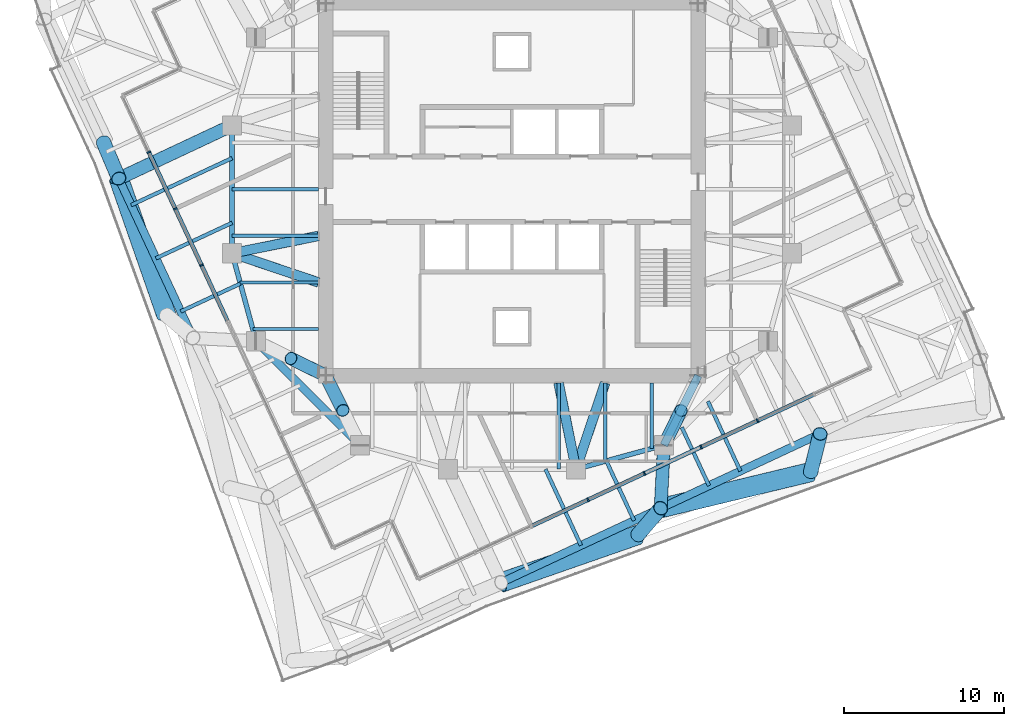
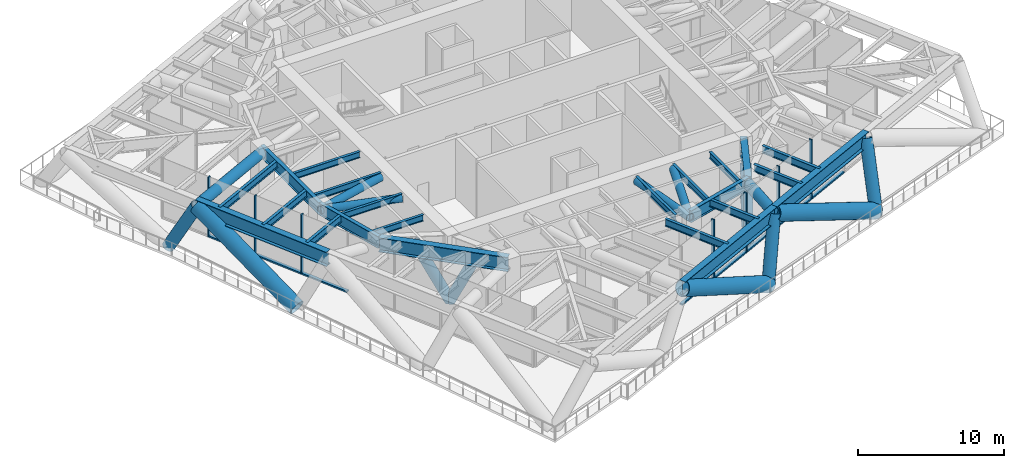
# One storey, part 3 of 16: 32 members, 21 beams, 2 elements without a shape of their own.
"""IFC4 building model written with IfcOpenShell, lengths in metres."""

from ifc_helpers import new_model, si_unit, direction, frame, origin, origin_2d, place, context, subcontext, project, spatial, rectangle, hollow_circle, i_section, extrude, material, material_profile, profile_set, type_object, element, aggregate, save


model = new_model("IFC4")

# Units and contexts
model_context = context("Model", 3, precision=1e-05, world=origin(), true_north=direction((0.0, 1.0)))
body_context = subcontext(model_context, "Body", "Model", "MODEL_VIEW")
ifc_project = project(units=[si_unit("LENGTHUNIT", "METRE"), si_unit("AREAUNIT", "SQUARE_METRE"), si_unit("VOLUMEUNIT", "CUBIC_METRE"), si_unit("PLANEANGLEUNIT", "RADIAN"), si_unit("MASSUNIT", "GRAM", prefix="KILO")], contexts=[model_context])

# Site, building, storey
site_placement = place(None, origin())
site = spatial("IfcSite", under=ifc_project, at=site_placement, CompositionType="ELEMENT")
building_placement = place(site_placement, origin())
building = spatial("IfcBuilding", under=site, at=building_placement, Name="Torsade Residences", CompositionType="ELEMENT")
storey_placement = place(building_placement, frame((0.0, 0.0, 171.0)))
storey = spatial("IfcBuildingStorey", under=building, at=storey_placement, Name="L47", CompositionType="ELEMENT", Elevation=171.0)

# Beams
ifc_material_1 = material(Name="Steel grade 300", Category="steel")
ifc_material_profile_1 = material_profile(ifc_material_1, i_section(OverallWidth=0.208984375, OverallDepth=0.528076171875, WebThickness=0.009521484375, FlangeThickness=0.01318359375, FilletRadius=0.013916015625, at=origin_2d()), Name="530UB82.0")
ifc_profile_set_1 = profile_set([ifc_material_profile_1], Name="Steel grade 300")
beam_type_1 = type_object("IfcBeamType", Name="INNER FLOOR BEAM 530UB82.0", PredefinedType="JOIST", material=ifc_profile_set_1)
beam_1_placement = place(storey_placement, frame((48.737548828125, 17.89990234375, 4.5859375), z_axis=(0.0, -1.0, 0.0), x_axis=(1.0, 0.0, 0.0)))
element("IfcBeam", 1, at=beam_1_placement, inside=storey, type_object=beam_type_1, Name="Inner floor beam IS01 L48", PredefinedType="JOIST", context=body_context, shape_type="SweptSolid", body=[
    extrude(i_section(OverallWidth=0.208984375, OverallDepth=0.528076171875, WebThickness=0.009521484375, FlangeThickness=0.01318359375, FilletRadius=0.013916015625, at=origin_2d()), origin(), (0.0, 0.0, 1.0), 4.10791015625),
])
beam_2_placement = place(storey_placement, frame((45.824951171875, 17.89990234375, 4.5859375), z_axis=(0.0, -1.0, 0.0), x_axis=(1.0, 0.0, 0.0)))
element("IfcBeam", 2, at=beam_2_placement, inside=storey, type_object=beam_type_1, Name="Inner floor beam IS02 L48", PredefinedType="JOIST", context=body_context, shape_type="SweptSolid", body=[
    extrude(i_section(OverallWidth=0.208984375, OverallDepth=0.528076171875, WebThickness=0.009521484375, FlangeThickness=0.01318359375, FilletRadius=0.013916015625, at=origin_2d()), origin(), (0.0, 0.0, 1.0), 4.902099609375),
])
for number, where, z_axis, x_axis, name in (
    (3, (42.91259765625, 17.89990234375, 4.5859375), (0.0, -1.0, 0.0), (1.0, 0.0, 0.0), "Inner floor beam IS03 L48"),
    (4, (27.89990234375, 30.0, 4.5859375), (-1.0, 0.0, 0.0), (0.0, -1.0, 0.0), "Inner floor beam IW04 L48"),
    (5, (27.89990234375, 27.08740234375, 4.5859375), (-1.0, 0.0, 0.0), (0.0, -1.0, 0.0), "Inner floor beam IW05 L48"),
):
    element("IfcBeam", number, at=place(storey_placement, frame(where, z_axis=z_axis, x_axis=x_axis)), inside=storey, type_object=beam_type_1, Name=name, PredefinedType="JOIST", context=body_context, shape_type="SweptSolid", body=[
        extrude(i_section(OverallWidth=0.208984375, OverallDepth=0.528076171875, WebThickness=0.009521484375, FlangeThickness=0.01318359375, FilletRadius=0.013916015625, at=origin_2d()), origin(), (0.0, 0.0, 1.0), 5.39990234375),
    ])
beam_3_placement = place(storey_placement, frame((27.89990234375, 24.175048828125, 4.5859375), z_axis=(-1.0, 0.0, 0.0), x_axis=(0.0, -1.0, 0.0)))
element("IfcBeam", 6, at=beam_3_placement, inside=storey, type_object=beam_type_1, Name="Inner floor beam IW06 L48", PredefinedType="JOIST", context=body_context, shape_type="SweptSolid", body=[
    extrude(i_section(OverallWidth=0.208984375, OverallDepth=0.528076171875, WebThickness=0.009521484375, FlangeThickness=0.01318359375, FilletRadius=0.013916015625, at=origin_2d()), origin(), (0.0, 0.0, 1.0), 4.902099609375),
])
beam_4_placement = place(storey_placement, frame((27.89990234375, 21.262451171875, 4.5859375), z_axis=(-1.0, 0.0, 0.0), x_axis=(0.0, -1.0, 0.0)))
element("IfcBeam", 7, at=beam_4_placement, inside=storey, type_object=beam_type_1, Name="Inner floor beam IW07 L48", PredefinedType="JOIST", context=body_context, shape_type="SweptSolid", body=[
    extrude(i_section(OverallWidth=0.208984375, OverallDepth=0.528076171875, WebThickness=0.009521484375, FlangeThickness=0.01318359375, FilletRadius=0.013916015625, at=origin_2d()), origin(), (0.0, 0.0, 1.0), 4.10791015625),
])

# Members
ifc_material_2 = material(Name="Steel grade 350", Category="steel")
ifc_material_profile_2 = material_profile(ifc_material_2, i_section(OverallWidth=0.5, OverallDepth=1.199951171875, WebThickness=0.031982421875, FlangeThickness=0.050048828125, at=origin_2d()), Name="1200x500x50x32WPG")
ifc_profile_set_2 = profile_set([ifc_material_profile_2], Name="Steel grade 350")
member_type_1 = type_object("IfcMemberType", Name="OUTRIGGER CHORD", PredefinedType="CHORD", material=ifc_profile_set_2)
for number, where, z_axis, x_axis, name in (
    (8, (51.64990234375, 18.35009765625, 4.25), (-0.443062937737, -0.896490509266, 0.0), (0.896490509266, -0.443062937737, 0.0), "Outrigger IR15 top chord L47"),
    (9, (51.64990234375, 18.35009765625, -0.75), (-0.443062937737, -0.896490509266, 0.0), (0.896490509266, -0.443062937737, 0.0), "Outrigger IR15 bottom chord L47"),
):
    element("IfcMember", number, at=place(storey_placement, frame(where, z_axis=z_axis, x_axis=x_axis)), inside=storey, type_object=member_type_1, Name=name, PredefinedType="CHORD", context=body_context, shape_type="SweptSolid", body=[
        extrude(i_section(OverallWidth=0.5, OverallDepth=1.199951171875, WebThickness=0.031982421875, FlangeThickness=0.050048828125, at=origin_2d()), origin(), (0.0, 0.0, 1.0), 4.852294921875),
    ])
ifc_material_3 = material(Name="Steel grade 450", Category="steel")
ifc_material_profile_3 = material_profile(ifc_material_3, hollow_circle(Radius=0.406494140625, WallThickness=0.02490234375, at=origin_2d()), Name="813.0x25.0CHS")
ifc_profile_set_3 = profile_set([ifc_material_profile_3], Name="Steel grade 450")
member_type_2 = type_object("IfcMemberType", Name="OUTRIGGER DIAGONAL", PredefinedType="BRACE", material=ifc_profile_set_3)
for number, where, z_axis, x_axis, name in (
    (10, (28.35009765625, 18.35009765625, -0.75), (-0.391368316838, 0.193421786849, 0.899677082595), (-0.443062937737, -0.896490509266, 0.0), "Outrigger IR11 diagonal 1 L47"),
    (11, (28.35009765625, 18.35009765625, -0.75), (0.193421786849, -0.391368316838, 0.899677082595), (0.896490509266, 0.443062937737, 0.0), "Outrigger IR12 diagonal 1 L47"),
    (12, (49.5, 14.0, -0.75), (0.193421786849, 0.391368316838, 0.899677082595), (-0.896490509266, 0.443062937737, 0.0), "Outrigger IR15 diagonal 2 L47"),
):
    element("IfcMember", number, at=place(storey_placement, frame(where, z_axis=z_axis, x_axis=x_axis)), inside=storey, type_object=member_type_2, Name=name, PredefinedType="BRACE", context=body_context, shape_type="SweptSolid", body=[
        extrude(hollow_circle(Radius=0.406494140625, WallThickness=0.02490234375, at=origin_2d()), origin(), (0.0, 0.0, 1.0), 5.5576171875),
    ])

# Beams
ifc_material_4 = material(Name="Steel grade 300", Category="steel")
ifc_material_profile_4 = material_profile(ifc_material_4, i_section(OverallWidth=0.5, OverallDepth=1.199951171875, WebThickness=0.01611328125, FlangeThickness=0.0400390625, at=origin_2d()), Name="1200WB455")
ifc_profile_set_4 = profile_set([ifc_material_profile_4], Name="Steel grade 300")
beam_type_2 = type_object("IfcBeamType", Name="RING CORNER GIRDER 1200WB455", PredefinedType="BEAM", material=ifc_profile_set_4)
beam_5_placement = place(storey_placement, frame((24.0, 20.5, 4.25), z_axis=(0.707106781187, -0.707106781187, 0.0), x_axis=(0.707106781187, 0.707106781187, 0.0)))
element("IfcBeam", 13, at=beam_5_placement, inside=storey, type_object=beam_type_2, Name="Ring girder IR11 L48", PredefinedType="BEAM", context=body_context, shape_type="SweptSolid", body=[
    extrude(i_section(OverallWidth=0.5, OverallDepth=1.199951171875, WebThickness=0.01611328125, FlangeThickness=0.0400390625, at=origin_2d()), origin(), (0.0, 0.0, 1.0), 9.1923828125),
])
ifc_material_5 = material(Name="Steel grade 300", Category="steel")
ifc_material_profile_5 = material_profile(ifc_material_5, i_section(OverallWidth=0.300048828125, OverallDepth=1.0, WebThickness=0.01611328125, FlangeThickness=0.028076171875, at=origin_2d()), Name="1000WB215")
ifc_profile_set_5 = profile_set([ifc_material_profile_5], Name="Steel grade 300")
beam_type_3 = type_object("IfcBeamType", Name="RING GIRDER 1000WB215", PredefinedType="BEAM", material=ifc_profile_set_5)
beam_6_placement = place(storey_placement, frame((22.5, 34.0, 4.35009765625), z_axis=(0.0, -1.0, 0.0), x_axis=(1.0, 0.0, 0.0)))
element("IfcBeam", 14, at=beam_6_placement, inside=storey, type_object=beam_type_3, Name="Ring girder IR09 L48", PredefinedType="BEAM", context=body_context, shape_type="SweptSolid", body=[
    extrude(i_section(OverallWidth=0.300048828125, OverallDepth=1.0, WebThickness=0.01611328125, FlangeThickness=0.028076171875, at=origin_2d()), origin(), (0.0, 0.0, 1.0), 8.0),
])
for number, where, z_axis, x_axis, name in (
    (15, (22.5, 26.0, 4.35009765625), (0.263117405792, -0.964763821238, 0.0), (0.964763821238, 0.263117405792, 0.0), "Ring girder IR10 L48"),
    (16, (44.0, 12.5, 4.35009765625), (0.964763821238, 0.263117405792, 0.0), (-0.263117405792, 0.964763821238, 0.0), "Ring girder IR14 L48"),
):
    element("IfcBeam", number, at=place(storey_placement, frame(where, z_axis=z_axis, x_axis=x_axis)), inside=storey, type_object=beam_type_3, Name=name, PredefinedType="BEAM", context=body_context, shape_type="SweptSolid", body=[
        extrude(i_section(OverallWidth=0.300048828125, OverallDepth=1.0, WebThickness=0.01611328125, FlangeThickness=0.028076171875, at=origin_2d()), origin(), (0.0, 0.0, 1.0), 5.700927734375),
    ])
ifc_material_6 = material(Name="Steel grade 300", Category="steel")
ifc_material_profile_6 = material_profile(ifc_material_6, i_section(OverallWidth=0.22900390625, OverallDepth=0.612060546875, WebThickness=0.011962890625, FlangeThickness=0.01953125, FilletRadius=0.013916015625, at=origin_2d()), Name="610UB125")
ifc_profile_set_6 = profile_set([ifc_material_profile_6], Name="Steel grade 300")
beam_type_4 = type_object("IfcBeamType", Name="SECONDARY BEAM 610UB125", PredefinedType="JOIST", material=ifc_profile_set_6)
beam_7_placement = place(storey_placement, frame((44.31298828125, 7.73681640625, 4.5439453125), z_axis=(-0.422631142882, 0.90630178035, 0.0), x_axis=(-0.90630178035, -0.422631142882, 0.0)))
element("IfcBeam", 17, at=beam_7_placement, inside=storey, type_object=beam_type_4, Name="Floor beam FS05 L48", PredefinedType="JOIST", context=body_context, shape_type="SweptSolid", body=[
    extrude(i_section(OverallWidth=0.22900390625, OverallDepth=0.612060546875, WebThickness=0.011962890625, FlangeThickness=0.01953125, FilletRadius=0.013916015625, at=origin_2d()), origin(), (0.0, 0.0, 1.0), 5.255615234375),
])
beam_8_placement = place(storey_placement, frame((47.635986328125, 9.286376953125, 4.5439453125), z_axis=(-0.422635442612, 0.906299775267, 0.0), x_axis=(-0.906299775267, -0.422635442612, 0.0)))
element("IfcBeam", 18, at=beam_8_placement, inside=storey, type_object=beam_type_4, Name="Floor beam FS06 L48", PredefinedType="JOIST", context=body_context, shape_type="SweptSolid", body=[
    extrude(i_section(OverallWidth=0.22900390625, OverallDepth=0.612060546875, WebThickness=0.011962890625, FlangeThickness=0.01953125, FilletRadius=0.013916015625, at=origin_2d()), origin(), (0.0, 0.0, 1.0), 4.116455078125),
])
beam_9_placement = place(storey_placement, frame((52.318603515625, 11.469970703125, 4.5439453125), z_axis=(-0.42261314367, 0.906310173615, 0.0), x_axis=(-0.906310173615, -0.42261314367, 0.0)))
element("IfcBeam", 19, at=beam_9_placement, inside=storey, type_object=beam_type_4, Name="Floor beam FS07 L48", PredefinedType="JOIST", context=body_context, shape_type="SweptSolid", body=[
    extrude(i_section(OverallWidth=0.22900390625, OverallDepth=0.612060546875, WebThickness=0.011962890625, FlangeThickness=0.01953125, FilletRadius=0.013916015625, at=origin_2d()), origin(), (0.0, 0.0, 1.0), 4.02490234375),
])
beam_10_placement = place(storey_placement, frame((54.2822265625, 12.3857421875, 4.5439453125), z_axis=(-0.422618876857, 0.906307500203, 0.0), x_axis=(-0.906307500203, -0.422618876857, 0.0)))
element("IfcBeam", 20, at=beam_10_placement, inside=storey, type_object=beam_type_4, Name="Floor beam FS08 L48", PredefinedType="JOIST", context=body_context, shape_type="SweptSolid", body=[
    extrude(i_section(OverallWidth=0.22900390625, OverallDepth=0.612060546875, WebThickness=0.011962890625, FlangeThickness=0.01953125, FilletRadius=0.013916015625, at=origin_2d()), origin(), (0.0, 0.0, 1.0), 4.813232421875),
])
beam_11_placement = place(storey_placement, frame((16.187255859375, 29.01025390625, 4.5439453125), z_axis=(0.906312044376, 0.422609131726, 0.0), x_axis=(-0.422609131726, 0.906312044376, 0.0)))
element("IfcBeam", 21, at=beam_11_placement, inside=storey, type_object=beam_type_4, Name="Floor beam FW04 L48", PredefinedType="JOIST", context=body_context, shape_type="SweptSolid", body=[
    extrude(i_section(OverallWidth=0.22900390625, OverallDepth=0.612060546875, WebThickness=0.011962890625, FlangeThickness=0.01953125, FilletRadius=0.013916015625, at=origin_2d()), origin(), (0.0, 0.0, 1.0), 6.96533203125),
])
beam_12_placement = place(storey_placement, frame((17.73681640625, 25.68701171875, 4.5439453125), z_axis=(0.90630178035, 0.422631142882, 0.0), x_axis=(-0.422631142882, 0.90630178035, 0.0)))
element("IfcBeam", 22, at=beam_12_placement, inside=storey, type_object=beam_type_4, Name="Floor beam FW05 L48", PredefinedType="JOIST", context=body_context, shape_type="SweptSolid", body=[
    extrude(i_section(OverallWidth=0.22900390625, OverallDepth=0.612060546875, WebThickness=0.011962890625, FlangeThickness=0.01953125, FilletRadius=0.013916015625, at=origin_2d()), origin(), (0.0, 0.0, 1.0), 5.255615234375),
])
beam_13_placement = place(storey_placement, frame((19.286376953125, 22.364013671875, 4.5439453125), z_axis=(0.906299775267, 0.422635442612, 0.0), x_axis=(-0.422635442612, 0.906299775267, 0.0)))
element("IfcBeam", 23, at=beam_13_placement, inside=storey, type_object=beam_type_4, Name="Floor beam FW06 L48", PredefinedType="JOIST", context=body_context, shape_type="SweptSolid", body=[
    extrude(i_section(OverallWidth=0.22900390625, OverallDepth=0.612060546875, WebThickness=0.011962890625, FlangeThickness=0.01953125, FilletRadius=0.013916015625, at=origin_2d()), origin(), (0.0, 0.0, 1.0), 4.116455078125),
])

# Members
ifc_material_7 = material(Name="Steel grade 450", Category="steel")
ifc_material_profile_7 = material_profile(ifc_material_7, hollow_circle(Radius=0.304931640625, WallThickness=0.01611328125, at=origin_2d()), Name="610.0x16.0CHS")
ifc_profile_set_7 = profile_set([ifc_material_profile_7], Name="Steel grade 450")
member_type_3 = type_object("IfcMemberType", Name="TRANSFER FLOOR BRACE 610.0x16.0CHS", PredefinedType="BRACE", material=ifc_profile_set_7)
member_1_placement = place(storey_placement, frame((22.5, 26.0, 4.25), z_axis=(0.97976207845, 0.197299045909, 0.03375434957), x_axis=(-0.197411538983, 0.980320704809, 0.0)))
element("IfcMember", 24, at=member_1_placement, inside=storey, type_object=member_type_3, Name="Transfer floor brace TT5 top IR10IW05", PredefinedType="BRACE", context=body_context, shape_type="SweptSolid", body=[
    extrude(hollow_circle(Radius=0.304931640625, WallThickness=0.01611328125, at=origin_2d()), origin(), (0.0, 0.0, 1.0), 5.511474609375),
])
member_2_placement = place(storey_placement, frame((22.5, 26.0, 4.25), z_axis=(0.946855969774, -0.319999474368, 0.032620682203), x_axis=(0.320169867513, 0.947360151124, 0.0)))
element("IfcMember", 25, at=member_2_placement, inside=storey, type_object=member_type_3, Name="Transfer floor brace TT5 top IR10IW06", PredefinedType="BRACE", context=body_context, shape_type="SweptSolid", body=[
    extrude(hollow_circle(Radius=0.304931640625, WallThickness=0.01611328125, at=origin_2d()), origin(), (0.0, 0.0, 1.0), 5.702880859375),
])
member_3_placement = place(storey_placement, frame((44.0, 12.5, 4.25), z_axis=(-0.197299045909, 0.97976207845, 0.03375434957), x_axis=(-0.980320704809, -0.197411538983, 0.0)))
element("IfcMember", 26, at=member_3_placement, inside=storey, type_object=member_type_3, Name="Transfer floor brace TT5 top IR14IS03", PredefinedType="BRACE", context=body_context, shape_type="SweptSolid", body=[
    extrude(hollow_circle(Radius=0.304931640625, WallThickness=0.01611328125, at=origin_2d()), origin(), (0.0, 0.0, 1.0), 5.511474609375),
])
member_4_placement = place(storey_placement, frame((44.0, 12.5, 4.25), z_axis=(0.319999474368, 0.946855969774, 0.032620682203), x_axis=(-0.947360151124, 0.320169867513, 0.0)))
element("IfcMember", 27, at=member_4_placement, inside=storey, type_object=member_type_3, Name="Transfer floor brace TT5 top IR14IS02", PredefinedType="BRACE", context=body_context, shape_type="SweptSolid", body=[
    extrude(hollow_circle(Radius=0.304931640625, WallThickness=0.01611328125, at=origin_2d()), origin(), (0.0, 0.0, 1.0), 5.702880859375),
])
ifc_material_8 = material(Name="Steel grade 450", Category="steel")
ifc_material_profile_8 = material_profile(ifc_material_8, hollow_circle(Radius=0.406494140625, WallThickness=0.02490234375, at=origin_2d()), Name="813.0x25.0CHS")
ifc_profile_set_8 = profile_set([ifc_material_profile_8], Name="Steel grade 450")
member_type_4 = type_object("IfcMemberType", Name="TRANSFER FLOOR STRUT 813.0x25.0CHS", PredefinedType="STRUT", material=ifc_profile_set_8)
member_5_placement = place(storey_placement, frame((49.297607421875, 10.061279296875, 4.25), z_axis=(0.051317652886, 0.998682381191, 0.0), x_axis=(-0.998682381191, 0.051317652886, 0.0)))
element("IfcMember", 28, at=member_5_placement, inside=storey, type_object=member_type_4, Name="Transfer floor strut TT5 top 03IR15", PredefinedType="STRUT", context=body_context, shape_type="SweptSolid", body=[
    extrude(hollow_circle(Radius=0.406494140625, WallThickness=0.02490234375, at=origin_2d()), origin(), (0.0, 0.0, 1.0), 3.94384765625),
])
member_6_placement = place(storey_placement, frame((15.412353515625, 30.671875, 4.25), z_axis=(0.905174521931, 0.425040097929, 0.0), x_axis=(-0.425040097929, 0.905174521931, 0.0)))
element("IfcMember", 29, at=member_6_placement, inside=storey, type_object=member_type_4, Name="Transfer floor strut TT5 top 14IR09", PredefinedType="STRUT", context=body_context, shape_type="SweptSolid", body=[
    extrude(hollow_circle(Radius=0.406494140625, WallThickness=0.02490234375, at=origin_2d()), origin(), (0.0, 0.0, 1.0), 7.830078125),
])

# Curtain wall, members
ifc_material_9 = material(Name="Aluminium and glass", Category="aluminium")
curtain_wall_type = type_object("IfcCurtainWallType", Name="TRANSFER LEVEL CURTAIN WALL LOW ZONE", PredefinedType="NOTDEFINED", material=ifc_material_9)
curtain_wall_1_placement = place(storey_placement, origin())
curtain_wall_1 = element("IfcCurtainWall", 30, at=curtain_wall_1_placement, inside=storey, type_object=curtain_wall_type, Name="Curtain wall L47 face 1", PredefinedType="NOTDEFINED")
ifc_material_10 = material(Name="Aluminium mullion", Category="aluminium")
ifc_material_profile_9 = material_profile(ifc_material_10, rectangle(XDim=0.25, YDim=0.10009765625, at=origin_2d()), Name="TRANSFER LEVEL CURTAIN WALL MULLION 250x100")
ifc_profile_set_9 = profile_set([ifc_material_profile_9], Name="Aluminium mullion")
member_type_5 = type_object("IfcMemberType", Name="TRANSFER LEVEL CURTAIN WALL MULLION 250x100", PredefinedType="MULLION", material=ifc_profile_set_9)
member_7_placement = place(storey_placement, frame((44.748779296875, 10.588134765625, 0.0), z_axis=(0.0, 0.0, 1.0), x_axis=(-0.42261826734, 0.906307784426, 0.0)))
member_7 = element("IfcMember", 31, at=member_7_placement, type_object=member_type_5, Name="Mullion 4", PredefinedType="MULLION", context=body_context, shape_type="SweptSolid", body=[
    extrude(rectangle(XDim=0.25, YDim=0.10009765625, at=origin_2d()), origin(), (0.0, 0.0, 1.0), 5.0),
])
member_8_placement = place(storey_placement, frame((48.283203125, 12.236328125, 0.0), z_axis=(0.0, 0.0, 1.0), x_axis=(-0.42261826734, 0.906307784426, 0.0)))
member_8 = element("IfcMember", 32, at=member_8_placement, type_object=member_type_5, Name="Mullion 5", PredefinedType="MULLION", context=body_context, shape_type="SweptSolid", body=[
    extrude(rectangle(XDim=0.25, YDim=0.10009765625, at=origin_2d()), origin(), (0.0, 0.0, 1.0), 5.0),
])
member_9_placement = place(storey_placement, frame((51.81787109375, 13.884521484375, 0.0), z_axis=(0.0, 0.0, 1.0), x_axis=(-0.42261826734, 0.906307784426, 0.0)))
member_9 = element("IfcMember", 33, at=member_9_placement, type_object=member_type_5, Name="Mullion 6", PredefinedType="MULLION", context=body_context, shape_type="SweptSolid", body=[
    extrude(rectangle(XDim=0.25, YDim=0.10009765625, at=origin_2d()), origin(), (0.0, 0.0, 1.0), 5.0),
])
member_10_placement = place(storey_placement, frame((55.3525390625, 15.53271484375, 0.0), z_axis=(0.0, 0.0, 1.0), x_axis=(-0.42261826734, 0.906307784426, 0.0)))
member_10 = element("IfcMember", 34, at=member_10_placement, type_object=member_type_5, Name="Mullion 7", PredefinedType="MULLION", context=body_context, shape_type="SweptSolid", body=[
    extrude(rectangle(XDim=0.25, YDim=0.10009765625, at=origin_2d()), origin(), (0.0, 0.0, 1.0), 5.0),
])

curtain_wall_2_placement = place(storey_placement, origin())
curtain_wall_2 = element("IfcCurtainWall", 35, at=curtain_wall_2_placement, inside=storey, type_object=curtain_wall_type, Name="Curtain wall L47 face 10", PredefinedType="NOTDEFINED")
member_11_placement = place(storey_placement, frame((17.291748046875, 32.320556640625, 0.0), z_axis=(0.0, 0.0, 1.0), x_axis=(0.906307784426, 0.42261826734, 0.0)))
member_11 = element("IfcMember", 36, at=member_11_placement, type_object=member_type_5, Name="Mullion 2", PredefinedType="MULLION", context=body_context, shape_type="SweptSolid", body=[
    extrude(rectangle(XDim=0.25, YDim=0.10009765625, at=origin_2d()), origin(), (0.0, 0.0, 1.0), 5.0),
])
member_12_placement = place(storey_placement, frame((18.93994140625, 28.785888671875, 0.0), z_axis=(0.0, 0.0, 1.0), x_axis=(0.906307784426, 0.42261826734, 0.0)))
member_12 = element("IfcMember", 37, at=member_12_placement, type_object=member_type_5, Name="Mullion 3", PredefinedType="MULLION", context=body_context, shape_type="SweptSolid", body=[
    extrude(rectangle(XDim=0.25, YDim=0.10009765625, at=origin_2d()), origin(), (0.0, 0.0, 1.0), 5.0),
])
member_13_placement = place(storey_placement, frame((20.588134765625, 25.251220703125, 0.0), z_axis=(0.0, 0.0, 1.0), x_axis=(0.906307784426, 0.42261826734, 0.0)))
member_13 = element("IfcMember", 38, at=member_13_placement, type_object=member_type_5, Name="Mullion 4", PredefinedType="MULLION", context=body_context, shape_type="SweptSolid", body=[
    extrude(rectangle(XDim=0.25, YDim=0.10009765625, at=origin_2d()), origin(), (0.0, 0.0, 1.0), 5.0),
])

# Member
ifc_material_11 = material(Name="Aluminium transom", Category="aluminium")
ifc_material_profile_10 = material_profile(ifc_material_11, rectangle(XDim=0.25, YDim=0.1201171875, at=origin_2d()), Name="TRANSFER LEVEL CURTAIN WALL TRANSOM 250x120")
ifc_profile_set_10 = profile_set([ifc_material_profile_10], Name="Aluminium transom")
member_type_6 = type_object("IfcMemberType", Name="TRANSFER LEVEL CURTAIN WALL TRANSOM 250x120", PredefinedType="USERDEFINED", material=ifc_profile_set_10)
member_14_placement = place(storey_placement, frame((41.259521484375, 8.961181640625, 0.06005859375), z_axis=(0.906301285889, 0.422632203217, 0.0), x_axis=(-0.422632203217, 0.906301285889, 0.0)))
member_14 = element("IfcMember", 39, at=member_14_placement, type_object=member_type_6, Name="Transom 3.1", ObjectType="TRANSOM", PredefinedType="USERDEFINED", context=body_context, shape_type="SweptSolid", body=[
    extrude(rectangle(XDim=0.25, YDim=0.1201171875, at=origin_2d()), origin(), (0.0, 0.0, 1.0), 3.7998046875),
])

member_15_placement = place(storey_placement, frame((44.7939453125, 10.609375, 0.06005859375), z_axis=(0.906312760975, 0.422607594931, 0.0), x_axis=(-0.422607594931, 0.906312760975, 0.0)))
member_15 = element("IfcMember", 40, at=member_15_placement, type_object=member_type_6, Name="Transom 4.1", ObjectType="TRANSOM", PredefinedType="USERDEFINED", context=body_context, shape_type="SweptSolid", body=[
    extrude(rectangle(XDim=0.25, YDim=0.1201171875, at=origin_2d()), origin(), (0.0, 0.0, 1.0), 3.800048828125),
])

member_16_placement = place(storey_placement, frame((48.32861328125, 12.257568359375, 0.06005859375), z_axis=(0.906312760975, 0.422607594931, 0.0), x_axis=(-0.422607594931, 0.906312760975, 0.0)))
member_16 = element("IfcMember", 41, at=member_16_placement, type_object=member_type_6, Name="Transom 5.1", ObjectType="TRANSOM", PredefinedType="USERDEFINED", context=body_context, shape_type="SweptSolid", body=[
    extrude(rectangle(XDim=0.25, YDim=0.1201171875, at=origin_2d()), origin(), (0.0, 0.0, 1.0), 3.800048828125),
])

member_17_placement = place(storey_placement, frame((51.86328125, 13.90576171875, 0.06005859375), z_axis=(0.906301285889, 0.422632203217, 0.0), x_axis=(-0.422632203217, 0.906301285889, 0.0)))
member_17 = element("IfcMember", 42, at=member_17_placement, type_object=member_type_6, Name="Transom 6.1", ObjectType="TRANSOM", PredefinedType="USERDEFINED", context=body_context, shape_type="SweptSolid", body=[
    extrude(rectangle(XDim=0.25, YDim=0.1201171875, at=origin_2d()), origin(), (0.0, 0.0, 1.0), 3.7998046875),
])

member_18_placement = place(storey_placement, frame((55.39794921875, 15.553955078125, 0.06005859375), z_axis=(0.906301285889, 0.422632203217, 0.0), x_axis=(-0.422632203217, 0.906301285889, 0.0)))
member_18 = element("IfcMember", 43, at=member_18_placement, type_object=member_type_6, Name="Transom 7.1", ObjectType="TRANSOM", PredefinedType="USERDEFINED", context=body_context, shape_type="SweptSolid", body=[
    extrude(rectangle(XDim=0.25, YDim=0.1201171875, at=origin_2d()), origin(), (0.0, 0.0, 1.0), 3.7998046875),
])

aggregate(curtain_wall_1, [member_7, member_8, member_9, member_10, member_14, member_15, member_16, member_17, member_18])

member_19_placement = place(storey_placement, frame((17.312744140625, 32.275146484375, 0.06005859375), z_axis=(0.422632203217, -0.906301285889, 0.0), x_axis=(0.906301285889, 0.422632203217, 0.0)))
member_19 = element("IfcMember", 44, at=member_19_placement, type_object=member_type_6, Name="Transom 2.1", ObjectType="TRANSOM", PredefinedType="USERDEFINED", context=body_context, shape_type="SweptSolid", body=[
    extrude(rectangle(XDim=0.25, YDim=0.1201171875, at=origin_2d()), origin(), (0.0, 0.0, 1.0), 3.7998046875),
])

member_20_placement = place(storey_placement, frame((18.961181640625, 28.740478515625, 0.06005859375), z_axis=(0.422632203217, -0.906301285889, 0.0), x_axis=(0.906301285889, 0.422632203217, 0.0)))
member_20 = element("IfcMember", 45, at=member_20_placement, type_object=member_type_6, Name="Transom 3.1", ObjectType="TRANSOM", PredefinedType="USERDEFINED", context=body_context, shape_type="SweptSolid", body=[
    extrude(rectangle(XDim=0.25, YDim=0.1201171875, at=origin_2d()), origin(), (0.0, 0.0, 1.0), 3.7998046875),
])

member_21_placement = place(storey_placement, frame((20.609375, 25.2060546875, 0.06005859375), z_axis=(0.422607594931, -0.906312760975, 0.0), x_axis=(0.906312760975, 0.422607594931, 0.0)))
member_21 = element("IfcMember", 46, at=member_21_placement, type_object=member_type_6, Name="Transom 4.1", ObjectType="TRANSOM", PredefinedType="USERDEFINED", context=body_context, shape_type="SweptSolid", body=[
    extrude(rectangle(XDim=0.25, YDim=0.1201171875, at=origin_2d()), origin(), (0.0, 0.0, 1.0), 3.800048828125),
])

aggregate(curtain_wall_2, [member_11, member_12, member_13, member_19, member_20, member_21])

# Beams
ifc_material_12 = material(Name="Steel grade 300", Category="steel")
ifc_material_profile_11 = material_profile(ifc_material_12, i_section(OverallWidth=0.5, OverallDepth=1.199951171875, WebThickness=0.01611328125, FlangeThickness=0.0400390625, at=origin_2d()), Name="1200WB455")
ifc_profile_set_11 = profile_set([ifc_material_profile_11], Name="Steel grade 300")
beam_type_5 = type_object("IfcBeamType", Name="TRANSFER TRUSS CHORD 1200WB455", PredefinedType="USERDEFINED", material=ifc_profile_set_11)
beam_14_placement = place(storey_placement, frame((39.328125, 5.412353515625, 4.25), z_axis=(0.906305009094, 0.422624219007, 0.0), x_axis=(-0.422624219007, 0.906305009094, 0.0)))
element("IfcBeam", 47, at=beam_14_placement, inside=storey, type_object=beam_type_5, Name="Transfer truss TT5 top chord 02", ObjectType="TRANSFER TRUSS CHORD", PredefinedType="USERDEFINED", context=body_context, shape_type="SweptSolid", body=[
    extrude(i_section(OverallWidth=0.5, OverallDepth=1.199951171875, WebThickness=0.01611328125, FlangeThickness=0.0400390625, at=origin_2d()), origin(), (0.0, 0.0, 1.0), 11.000244140625),
])
beam_15_placement = place(storey_placement, frame((49.297607421875, 10.061279296875, 4.25), z_axis=(0.906313510001, 0.422605988587, 0.0), x_axis=(-0.422605988587, 0.906313510001, 0.0)))
element("IfcBeam", 48, at=beam_15_placement, inside=storey, type_object=beam_type_5, Name="Transfer truss TT5 top chord 03", ObjectType="TRANSFER TRUSS CHORD", PredefinedType="USERDEFINED", context=body_context, shape_type="SweptSolid", body=[
    extrude(i_section(OverallWidth=0.5, OverallDepth=1.199951171875, WebThickness=0.01611328125, FlangeThickness=0.0400390625, at=origin_2d()), origin(), (0.0, 0.0, 1.0), 11.0),
])
beam_16_placement = place(storey_placement, frame((15.412353515625, 30.671875, 4.25), z_axis=(0.422624219007, -0.906305009094, 0.0), x_axis=(0.906305009094, 0.422624219007, 0.0)))
element("IfcBeam", 49, at=beam_16_placement, inside=storey, type_object=beam_type_5, Name="Transfer truss TT5 top chord 14", ObjectType="TRANSFER TRUSS CHORD", PredefinedType="USERDEFINED", context=body_context, shape_type="SweptSolid", body=[
    extrude(i_section(OverallWidth=0.5, OverallDepth=1.199951171875, WebThickness=0.01611328125, FlangeThickness=0.0400390625, at=origin_2d()), origin(), (0.0, 0.0, 1.0), 11.000244140625),
])

# Members
ifc_material_13 = material(Name="Steel grade 450", Category="steel")
ifc_material_profile_12 = material_profile(ifc_material_13, hollow_circle(Radius=0.609619140625, WallThickness=0.0400390625, at=origin_2d()), Name="1219.0x40.0CHS")
ifc_profile_set_12 = profile_set([ifc_material_profile_12], Name="Steel grade 450")
member_type_7 = type_object("IfcMemberType", Name="TRANSFER TRUSS DIAGONAL 1219.0x40.0CHS", PredefinedType="BRACE", material=ifc_profile_set_12)
member_22_placement = place(storey_placement, frame((47.866455078125, 8.386962890625, -0.199951171875), z_axis=(-0.847277367344, -0.295177063555, 0.441578491253), x_axis=(0.32898976891, -0.944333485561, 0.0)))
element("IfcMember", 50, at=member_22_placement, inside=storey, type_object=member_type_7, Name="Transfer truss TT5 diagonal 02", PredefinedType="BRACE", context=body_context, shape_type="SweptSolid", body=[
    extrude(hollow_circle(Radius=0.609619140625, WallThickness=0.0400390625, at=origin_2d()), origin(), (0.0, 0.0, 1.0), 10.077392578125),
])
member_23_placement = place(storey_placement, frame((58.6728515625, 12.3203125, -0.199951171875), z_axis=(-0.882728351109, -0.212699810755, 0.41898621535), x_axis=(0.234252803475, -0.97217571666, 0.0)))
element("IfcMember", 51, at=member_23_placement, inside=storey, type_object=member_type_7, Name="Transfer truss TT5 diagonal 03", PredefinedType="BRACE", context=body_context, shape_type="SweptSolid", body=[
    extrude(hollow_circle(Radius=0.609619140625, WallThickness=0.0400390625, at=origin_2d()), origin(), (0.0, 0.0, 1.0), 10.620849609375),
])
member_24_placement = place(storey_placement, frame((18.386962890625, 22.133544921875, -0.199951171875), z_axis=(-0.295177063555, 0.847277367344, 0.441578491253), x_axis=(-0.944333485561, -0.32898976891, 0.0)))
element("IfcMember", 52, at=member_24_placement, inside=storey, type_object=member_type_7, Name="Transfer truss TT5 diagonal 14", PredefinedType="BRACE", context=body_context, shape_type="SweptSolid", body=[
    extrude(hollow_circle(Radius=0.609619140625, WallThickness=0.0400390625, at=origin_2d()), origin(), (0.0, 0.0, 1.0), 10.077392578125),
])
ifc_material_14 = material(Name="Steel grade 450", Category="steel")
ifc_material_profile_13 = material_profile(ifc_material_14, hollow_circle(Radius=0.45703125, WallThickness=0.028076171875, at=origin_2d()), Name="914.0x28.0CHS")
ifc_profile_set_13 = profile_set([ifc_material_profile_13], Name="Steel grade 450")
member_type_8 = type_object("IfcMemberType", Name="TRANSFER TRUSS RAKING STRUT 914.0x28.0CHS", PredefinedType="STRUT", material=ifc_profile_set_13)
member_25_placement = place(storey_placement, frame((47.866455078125, 8.386962890625, -0.199951171875), z_axis=(0.288234334017, 0.337207619019, 0.896220949526), x_axis=(-0.760147833612, 0.649750160489, 0.0)))
element("IfcMember", 53, at=member_25_placement, inside=storey, type_object=member_type_8, Name="Transfer truss TT5 raking strut 03", PredefinedType="STRUT", context=body_context, shape_type="SweptSolid", body=[
    extrude(hollow_circle(Radius=0.45703125, WallThickness=0.028076171875, at=origin_2d()), origin(), (0.0, 0.0, 1.0), 4.96533203125),
])
member_26_placement = place(storey_placement, frame((58.6728515625, 12.3203125, -0.199951171875), z_axis=(0.116842088697, 0.469864570325, 0.874971549173), x_axis=(-0.970445013069, 0.241322350001, 0.0)))
element("IfcMember", 54, at=member_26_placement, inside=storey, type_object=member_type_8, Name="Transfer truss TT5 raking strut 04", PredefinedType="STRUT", context=body_context, shape_type="SweptSolid", body=[
    extrude(hollow_circle(Radius=0.45703125, WallThickness=0.028076171875, at=origin_2d()), origin(), (0.0, 0.0, 1.0), 5.0859375),
])
member_27_placement = place(storey_placement, frame((14.453857421875, 32.93994140625, -0.199951171875), z_axis=(0.188466818794, -0.445964530462, 0.874983368861), x_axis=(0.921123183218, 0.389271218225, 0.0)))
element("IfcMember", 55, at=member_27_placement, inside=storey, type_object=member_type_8, Name="Transfer truss TT5 raking strut 14", PredefinedType="STRUT", context=body_context, shape_type="SweptSolid", body=[
    extrude(hollow_circle(Radius=0.45703125, WallThickness=0.028076171875, at=origin_2d()), origin(), (0.0, 0.0, 1.0), 5.085693359375),
])

save(model, "model.ifc")
